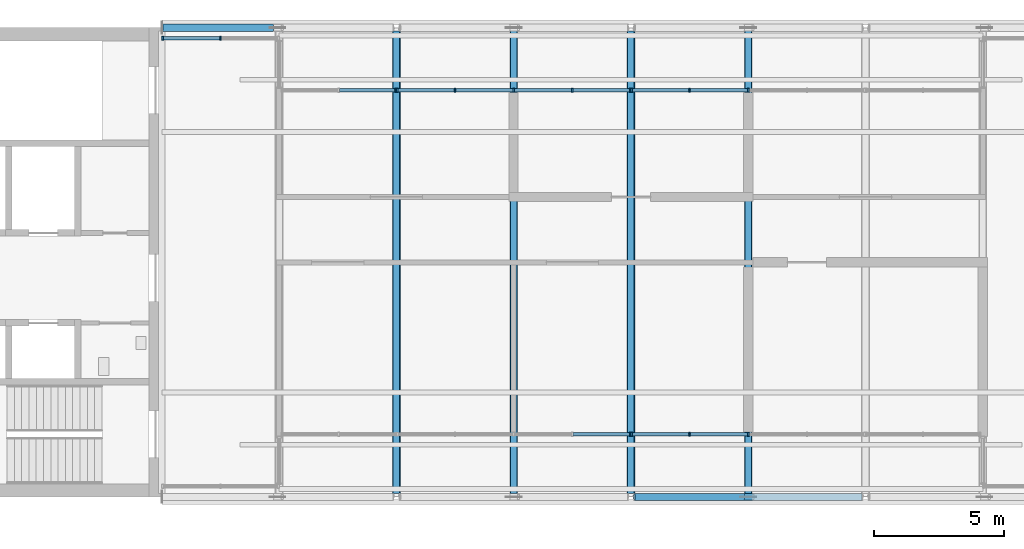
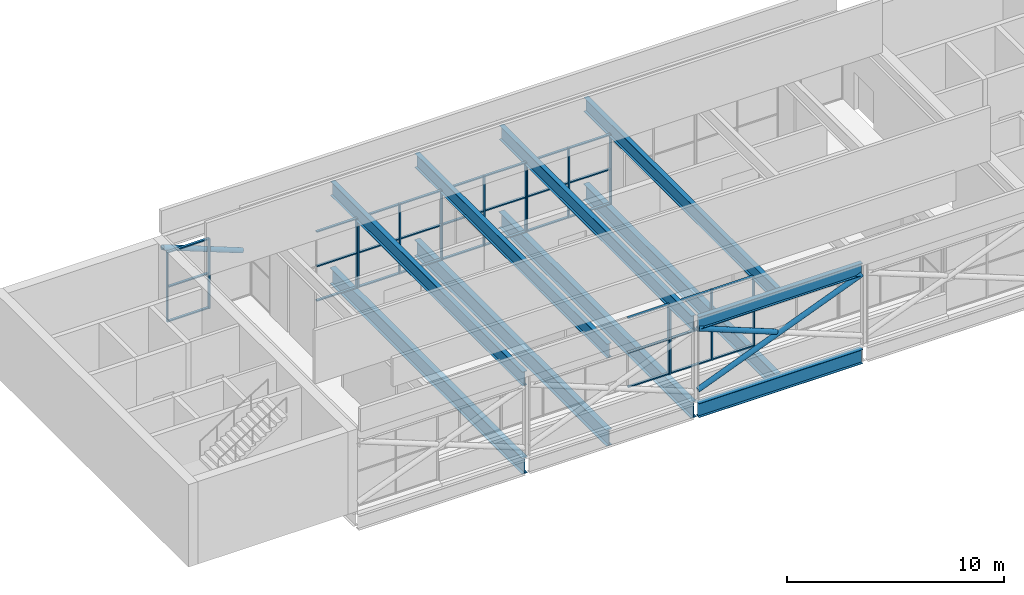
# One storey, part 2 of 13: 51 members, 10 beams, 6 elements without a shape of their own.
"""IFC4 building model written with IfcOpenShell, lengths in metres."""

from ifc_helpers import new_model, si_unit, direction, frame, origin, origin_2d, place, context, subcontext, project, spatial, rectangle, hollow_circle, i_section, extrude, material, layer, layer_set, material_profile, profile_set, type_object, element, aggregate, save


model = new_model("IFC4")

# Units and contexts
model_context = context("Model", 3, precision=1e-05, world=origin(), true_north=direction((0.0, 1.0)))
body_context = subcontext(model_context, "Body", "Model", "MODEL_VIEW")
ifc_project = project(units=[si_unit("LENGTHUNIT", "METRE"), si_unit("AREAUNIT", "SQUARE_METRE"), si_unit("VOLUMEUNIT", "CUBIC_METRE"), si_unit("PLANEANGLEUNIT", "RADIAN"), si_unit("MASSUNIT", "GRAM", prefix="KILO")], contexts=[model_context])

# Site, building, storey
site_placement = place(None, origin())
site = spatial("IfcSite", under=ifc_project, at=site_placement, CompositionType="ELEMENT")
building_placement = place(site_placement, origin())
building = spatial("IfcBuilding", under=site, at=building_placement, Name="Corbel Yard City Hall", CompositionType="ELEMENT")
storey_placement = place(building_placement, frame((0.0, 0.0, 71.199951171875)))
storey = spatial("IfcBuildingStorey", under=building, at=storey_placement, Name="L17", CompositionType="ELEMENT", Elevation=71.199951171875)

# Members
ifc_material_1 = material(Name="Steel Grade C350L0", Category="steel")
ifc_material_profile_1 = material_profile(ifc_material_1, hollow_circle(Radius=0.136474609375, WallThickness=0.00927734375, at=origin_2d()), Name="273.1x9.3CHS")
ifc_profile_set_1 = profile_set([ifc_material_profile_1], Name="Steel Grade C350L0")
member_type_1 = type_object("IfcMemberType", Name="Crown brace 273.1x9.3CHS", PredefinedType="BRACE", material=ifc_profile_set_1)
member_1_placement = place(storey_placement, frame((27.1298828125, 99.0, 0.5), z_axis=(0.929716231841, 0.0, 0.368276700663), x_axis=(0.0, 1.0, 0.0)))
element("IfcMember", 1, at=member_1_placement, inside=storey, type_object=member_type_1, Name="Crown brace 273.1x9.3CHS BX1", PredefinedType="BRACE", context=body_context, shape_type="SweptSolid", body=[
    extrude(hollow_circle(Radius=0.136474609375, WallThickness=0.00927734375, at=origin_2d()), origin(), (0.0, 0.0, 1.0), 9.40087890625),
])
ifc_material_profile_2 = material_profile(ifc_material_1, hollow_circle(Radius=0.136474609375, WallThickness=0.00927734375, at=origin_2d()), Name="273.1x9.3CHS")
ifc_profile_set_2 = profile_set([ifc_material_profile_2], Name="Steel Grade C350L0")
member_type_2 = type_object("IfcMemberType", Name="Crown half brace 273.1x9.3CHS", PredefinedType="BRACE", material=ifc_profile_set_2)
member_2_placement = place(storey_placement, frame((27.1298828125, 99.0, 3.962158203125), z_axis=(0.929720022455, 0.0, -0.368267131096), x_axis=(0.0, 1.0, 0.0)))
element("IfcMember", 2, at=member_2_placement, inside=storey, type_object=member_type_2, Name="Crown half brace 273.1x9.3CHS BX2", PredefinedType="BRACE", context=body_context, shape_type="SweptSolid", body=[
    extrude(hollow_circle(Radius=0.136474609375, WallThickness=0.00927734375, at=origin_2d()), origin(), (0.0, 0.0, 1.0), 4.504150390625),
])
member_3_placement = place(storey_placement, frame((9.0, 117.0, 3.962158203125), z_axis=(0.931548000726, 0.0, -0.363618374594), x_axis=(0.0, 1.0, 0.0)))
element("IfcMember", 3, at=member_3_placement, inside=storey, type_object=member_type_2, Name="Crown half brace 273.1x9.3CHS BX2", PredefinedType="BRACE", context=body_context, shape_type="SweptSolid", body=[
    extrude(hollow_circle(Radius=0.136474609375, WallThickness=0.00927734375, at=origin_2d()), origin(), (0.0, 0.0, 1.0), 4.562255859375),
])

# Beams
ifc_material_2 = material(Name="Steel Grade 350", Category="steel")
ifc_material_profile_3 = material_profile(ifc_material_2, i_section(OverallWidth=0.25, OverallDepth=0.699951171875, WebThickness=0.010009765625, FlangeThickness=0.02001953125, at=origin_2d()), Name="700WB130")
ifc_profile_set_3 = profile_set([ifc_material_profile_3], Name="Steel Grade 350")
beam_type_1 = type_object("IfcBeamType", Name="Edge beam 700WB130", PredefinedType="BEAM", material=ifc_profile_set_3)
beam_1_placement = place(storey_placement, frame((27.1298828125, 99.0, 4.300048828125), z_axis=(1.0, 0.0, 0.0), x_axis=(0.0, 1.0, 0.0)))
element("IfcBeam", 4, at=beam_1_placement, inside=storey, type_object=beam_type_1, Name="Edge beam 700WB130 EB9 L17roof", PredefinedType="BEAM", context=body_context, shape_type="SweptSolid", body=[
    extrude(i_section(OverallWidth=0.25, OverallDepth=0.699951171875, WebThickness=0.010009765625, FlangeThickness=0.02001953125, at=origin_2d()), origin(), (0.0, 0.0, 1.0), 8.740234375),
])
ifc_material_profile_4 = material_profile(ifc_material_2, i_section(OverallWidth=0.27490234375, OverallDepth=0.800048828125, WebThickness=0.010009765625, FlangeThickness=0.02001953125, at=origin_2d()), Name="800WB146")
ifc_profile_set_4 = profile_set([ifc_material_profile_4], Name="Steel Grade 350")
beam_type_2 = type_object("IfcBeamType", Name="Edge beam 800WB146", PredefinedType="BEAM", material=ifc_profile_set_4)
beam_2_placement = place(storey_placement, frame((27.1298828125, 99.0, -0.599853515625), z_axis=(1.0, 0.0, 0.0), x_axis=(0.0, 1.0, 0.0)))
element("IfcBeam", 5, at=beam_2_placement, inside=storey, type_object=beam_type_2, Name="Edge beam 800WB146 EB11 L17tower", PredefinedType="BEAM", context=body_context, shape_type="SweptSolid", body=[
    extrude(i_section(OverallWidth=0.27490234375, OverallDepth=0.800048828125, WebThickness=0.010009765625, FlangeThickness=0.02001953125, at=origin_2d()), origin(), (0.0, 0.0, 1.0), 8.740234375),
])
ifc_material_profile_5 = material_profile(ifc_material_2, i_section(OverallWidth=0.25, OverallDepth=0.7919921875, WebThickness=0.010009765625, FlangeThickness=0.01611328125, at=origin_2d()), Name="800WB122")
ifc_profile_set_5 = profile_set([ifc_material_profile_5], Name="Steel Grade 350")
beam_type_3 = type_object("IfcBeamType", Name="Long-span beam 800WB122", PredefinedType="BEAM", material=ifc_profile_set_5)
for number, where, z_axis, x_axis, name in (
    (6, (18.0, 99.1279296875, 4.254150390625), (0.0, 1.0, 0.0), (-1.0, 0.0, 0.0), "Long-span beam 800WB122 SB21 L17roof"),
    (7, (27.0, 99.1279296875, 4.254150390625), (0.0, 1.0, 0.0), (-1.0, 0.0, 0.0), "Long-span beam 800WB122 SB21 L17roof"),
):
    element("IfcBeam", number, at=place(storey_placement, frame(where, z_axis=z_axis, x_axis=x_axis)), inside=storey, type_object=beam_type_3, Name=name, PredefinedType="BEAM", context=body_context, shape_type="SweptSolid", body=[
        extrude(i_section(OverallWidth=0.25, OverallDepth=0.7919921875, WebThickness=0.010009765625, FlangeThickness=0.01611328125, at=origin_2d()), origin(), (0.0, 0.0, 1.0), 17.744140625),
    ])
ifc_material_profile_6 = material_profile(ifc_material_2, i_section(OverallWidth=0.300048828125, OverallDepth=0.89990234375, WebThickness=0.011962890625, FlangeThickness=0.02001953125, at=origin_2d()), Name="900WB175")
ifc_profile_set_6 = profile_set([ifc_material_profile_6], Name="Steel Grade 350")
beam_type_4 = type_object("IfcBeamType", Name="Long-span beam 900WB175", PredefinedType="BEAM", material=ifc_profile_set_6)
for number, where, z_axis, x_axis, name in (
    (8, (18.0, 99.1279296875, -0.64990234375), (0.0, 1.0, 0.0), (-1.0, 0.0, 0.0), "Long-span beam 900WB175 SB4 L17tower"),
    (9, (27.0, 99.1279296875, -0.64990234375), (0.0, 1.0, 0.0), (-1.0, 0.0, 0.0), "Long-span beam 900WB175 SB4 L17tower"),
):
    element("IfcBeam", number, at=place(storey_placement, frame(where, z_axis=z_axis, x_axis=x_axis)), inside=storey, type_object=beam_type_4, Name=name, PredefinedType="BEAM", context=body_context, shape_type="SweptSolid", body=[
        extrude(i_section(OverallWidth=0.300048828125, OverallDepth=0.89990234375, WebThickness=0.011962890625, FlangeThickness=0.02001953125, at=origin_2d()), origin(), (0.0, 0.0, 1.0), 17.744140625),
    ])
ifc_material_profile_7 = material_profile(ifc_material_2, i_section(OverallWidth=0.25, OverallDepth=0.7919921875, WebThickness=0.010009765625, FlangeThickness=0.01611328125, at=origin_2d()), Name="800WB122")
ifc_profile_set_7 = profile_set([ifc_material_profile_7], Name="Steel Grade 350")
beam_type_5 = type_object("IfcBeamType", Name="Long-span secondary beam 800WB122", PredefinedType="JOIST", material=ifc_profile_set_7)
for number, where, z_axis, x_axis, name in (
    (10, (22.5, 99.125, 4.254150390625), (0.0, 1.0, 0.0), (-1.0, 0.0, 0.0), "Long-span secondary beam 800WB122 SB20 L17roof"),
    (11, (31.5, 99.125, 4.254150390625), (0.0, 1.0, 0.0), (-1.0, 0.0, 0.0), "Long-span secondary beam 800WB122 SB20 L17roof"),
):
    element("IfcBeam", number, at=place(storey_placement, frame(where, z_axis=z_axis, x_axis=x_axis)), inside=storey, type_object=beam_type_5, Name=name, PredefinedType="JOIST", context=body_context, shape_type="SweptSolid", body=[
        extrude(i_section(OverallWidth=0.25, OverallDepth=0.7919921875, WebThickness=0.010009765625, FlangeThickness=0.01611328125, at=origin_2d()), origin(), (0.0, 0.0, 1.0), 17.75),
    ])
ifc_material_profile_8 = material_profile(ifc_material_2, i_section(OverallWidth=0.300048828125, OverallDepth=0.89990234375, WebThickness=0.011962890625, FlangeThickness=0.02001953125, at=origin_2d()), Name="900WB175")
ifc_profile_set_8 = profile_set([ifc_material_profile_8], Name="Steel Grade 350")
beam_type_6 = type_object("IfcBeamType", Name="Long-span secondary beam 900WB175", PredefinedType="JOIST", material=ifc_profile_set_8)
for number, where, z_axis, x_axis, name in (
    (12, (22.5, 99.137451171875, -0.64990234375), (0.0, 1.0, 0.0), (-1.0, 0.0, 0.0), "Long-span secondary beam 900WB175 SB3 L17tower"),
    (13, (31.5, 99.137451171875, -0.64990234375), (0.0, 1.0, 0.0), (-1.0, 0.0, 0.0), "Long-span secondary beam 900WB175 SB3 L17tower"),
):
    element("IfcBeam", number, at=place(storey_placement, frame(where, z_axis=z_axis, x_axis=x_axis)), inside=storey, type_object=beam_type_6, Name=name, PredefinedType="JOIST", context=body_context, shape_type="SweptSolid", body=[
        extrude(i_section(OverallWidth=0.300048828125, OverallDepth=0.89990234375, WebThickness=0.011962890625, FlangeThickness=0.02001953125, at=origin_2d()), origin(), (0.0, 0.0, 1.0), 17.72509765625),
    ])

# Curtain wall, member
ifc_material_3 = material(Name="Aluminium extrusion", Category="aluminium")
ifc_layer = layer(ifc_material_3, 0.159912109375)
ifc_layer_set = layer_set([ifc_layer], Name="Aluminium extrusion")
curtain_wall_type = type_object("IfcCurtainWallType", Name="CW8", PredefinedType="USERDEFINED", material=ifc_layer_set)
curtain_wall_1_placement = place(storey_placement, origin())
curtain_wall_1 = element("IfcCurtainWall", 14, at=curtain_wall_1_placement, inside=storey, type_object=curtain_wall_type, Name="Curtain wall CW8 L17", ObjectType="CURTAIN WALL", PredefinedType="USERDEFINED")
ifc_material_profile_9 = material_profile(ifc_material_3, rectangle(XDim=0.159912109375, YDim=0.06494140625, at=origin_2d()), Name="160x65")
ifc_profile_set_9 = profile_set([ifc_material_profile_9], Name="Aluminium extrusion")
member_type_3 = type_object("IfcMemberType", Name="ML8", PredefinedType="MULLION", material=ifc_profile_set_9)
member_4_placement = place(storey_placement, frame((26.967529296875, 101.39990234375, 0.0), z_axis=(0.0, 0.0, 1.0), x_axis=(0.0, 1.0, 0.0)))
member_4 = element("IfcMember", 15, at=member_4_placement, type_object=member_type_3, Name="CW8 mullion 5", PredefinedType="MULLION", context=body_context, shape_type="SweptSolid", body=[
    extrude(rectangle(XDim=0.159912109375, YDim=0.06494140625, at=origin_2d()), origin(), (0.0, 0.0, 1.0), 3.949951171875),
])

# Curtain wall, members
curtain_wall_2_placement = place(storey_placement, origin())
curtain_wall_2 = element("IfcCurtainWall", 16, at=curtain_wall_2_placement, inside=storey, type_object=curtain_wall_type, Name="Curtain wall CW8 L17", ObjectType="CURTAIN WALL", PredefinedType="USERDEFINED")
member_5_placement = place(storey_placement, frame((27.032470703125, 101.39990234375, 0.0), z_axis=(0.0, 0.0, 1.0), x_axis=(0.0, 1.0, 0.0)))
member_5 = element("IfcMember", 17, at=member_5_placement, type_object=member_type_3, Name="CW8 mullion 1", PredefinedType="MULLION", context=body_context, shape_type="SweptSolid", body=[
    extrude(rectangle(XDim=0.159912109375, YDim=0.06494140625, at=origin_2d()), origin(), (0.0, 0.0, 1.0), 3.949951171875),
])
member_6_placement = place(storey_placement, frame((29.25, 101.39990234375, 0.0), z_axis=(0.0, 0.0, 1.0), x_axis=(0.0, 1.0, 0.0)))
member_6 = element("IfcMember", 18, at=member_6_placement, type_object=member_type_3, Name="CW8 mullion 2", PredefinedType="MULLION", context=body_context, shape_type="SweptSolid", body=[
    extrude(rectangle(XDim=0.159912109375, YDim=0.06494140625, at=origin_2d()), origin(), (0.0, 0.0, 1.0), 3.949951171875),
])
member_7_placement = place(storey_placement, frame((31.5, 101.39990234375, 0.0), z_axis=(0.0, 0.0, 1.0), x_axis=(0.0, 1.0, 0.0)))
member_7 = element("IfcMember", 19, at=member_7_placement, type_object=member_type_3, Name="CW8 mullion 3", PredefinedType="MULLION", context=body_context, shape_type="SweptSolid", body=[
    extrude(rectangle(XDim=0.159912109375, YDim=0.06494140625, at=origin_2d()), origin(), (0.0, 0.0, 1.0), 3.949951171875),
])

curtain_wall_3_placement = place(storey_placement, origin())
curtain_wall_3 = element("IfcCurtainWall", 20, at=curtain_wall_3_placement, inside=storey, type_object=curtain_wall_type, Name="Curtain wall CW8 L17", ObjectType="CURTAIN WALL", PredefinedType="USERDEFINED")
member_8_placement = place(storey_placement, frame((9.032470703125, 116.60009765625, 0.0), z_axis=(0.0, 0.0, 1.0), x_axis=(0.0, 1.0, 0.0)))
member_8 = element("IfcMember", 21, at=member_8_placement, type_object=member_type_3, Name="CW8 mullion 1", PredefinedType="MULLION", context=body_context, shape_type="SweptSolid", body=[
    extrude(rectangle(XDim=0.159912109375, YDim=0.06494140625, at=origin_2d()), origin(), (0.0, 0.0, 1.0), 3.949951171875),
])
member_9_placement = place(storey_placement, frame((11.25, 116.60009765625, 0.0), z_axis=(0.0, 0.0, 1.0), x_axis=(0.0, 1.0, 0.0)))
member_9 = element("IfcMember", 22, at=member_9_placement, type_object=member_type_3, Name="CW8 mullion 2", PredefinedType="MULLION", context=body_context, shape_type="SweptSolid", body=[
    extrude(rectangle(XDim=0.159912109375, YDim=0.06494140625, at=origin_2d()), origin(), (0.0, 0.0, 1.0), 3.949951171875),
])

# Curtain wall, member
curtain_wall_4_placement = place(storey_placement, origin())
curtain_wall_4 = element("IfcCurtainWall", 23, at=curtain_wall_4_placement, inside=storey, type_object=curtain_wall_type, Name="Curtain wall CW8 L17", ObjectType="CURTAIN WALL", PredefinedType="USERDEFINED")
member_10_placement = place(storey_placement, frame((17.967529296875, 114.60009765625, 0.0), z_axis=(0.0, 0.0, 1.0), x_axis=(0.0, 1.0, 0.0)))
member_10 = element("IfcMember", 24, at=member_10_placement, type_object=member_type_3, Name="CW8 mullion 3", PredefinedType="MULLION", context=body_context, shape_type="SweptSolid", body=[
    extrude(rectangle(XDim=0.159912109375, YDim=0.06494140625, at=origin_2d()), origin(), (0.0, 0.0, 1.0), 3.949951171875),
])

# Curtain wall, members
curtain_wall_5_placement = place(storey_placement, origin())
curtain_wall_5 = element("IfcCurtainWall", 25, at=curtain_wall_5_placement, inside=storey, type_object=curtain_wall_type, Name="Curtain wall CW8 L17", ObjectType="CURTAIN WALL", PredefinedType="USERDEFINED")
member_11_placement = place(storey_placement, frame((18.032470703125, 114.60009765625, 0.0), z_axis=(0.0, 0.0, 1.0), x_axis=(0.0, 1.0, 0.0)))
member_11 = element("IfcMember", 26, at=member_11_placement, type_object=member_type_3, Name="CW8 mullion 1", PredefinedType="MULLION", context=body_context, shape_type="SweptSolid", body=[
    extrude(rectangle(XDim=0.159912109375, YDim=0.06494140625, at=origin_2d()), origin(), (0.0, 0.0, 1.0), 3.949951171875),
])
member_12_placement = place(storey_placement, frame((20.25, 114.60009765625, 0.0), z_axis=(0.0, 0.0, 1.0), x_axis=(0.0, 1.0, 0.0)))
member_12 = element("IfcMember", 27, at=member_12_placement, type_object=member_type_3, Name="CW8 mullion 2", PredefinedType="MULLION", context=body_context, shape_type="SweptSolid", body=[
    extrude(rectangle(XDim=0.159912109375, YDim=0.06494140625, at=origin_2d()), origin(), (0.0, 0.0, 1.0), 3.949951171875),
])
member_13_placement = place(storey_placement, frame((22.5, 114.60009765625, 0.0), z_axis=(0.0, 0.0, 1.0), x_axis=(0.0, 1.0, 0.0)))
member_13 = element("IfcMember", 28, at=member_13_placement, type_object=member_type_3, Name="CW8 mullion 3", PredefinedType="MULLION", context=body_context, shape_type="SweptSolid", body=[
    extrude(rectangle(XDim=0.159912109375, YDim=0.06494140625, at=origin_2d()), origin(), (0.0, 0.0, 1.0), 3.949951171875),
])
member_14_placement = place(storey_placement, frame((24.75, 114.60009765625, 0.0), z_axis=(0.0, 0.0, 1.0), x_axis=(0.0, 1.0, 0.0)))
member_14 = element("IfcMember", 29, at=member_14_placement, type_object=member_type_3, Name="CW8 mullion 4", PredefinedType="MULLION", context=body_context, shape_type="SweptSolid", body=[
    extrude(rectangle(XDim=0.159912109375, YDim=0.06494140625, at=origin_2d()), origin(), (0.0, 0.0, 1.0), 3.949951171875),
])
member_15_placement = place(storey_placement, frame((26.967529296875, 114.60009765625, 0.0), z_axis=(0.0, 0.0, 1.0), x_axis=(0.0, 1.0, 0.0)))
member_15 = element("IfcMember", 30, at=member_15_placement, type_object=member_type_3, Name="CW8 mullion 5", PredefinedType="MULLION", context=body_context, shape_type="SweptSolid", body=[
    extrude(rectangle(XDim=0.159912109375, YDim=0.06494140625, at=origin_2d()), origin(), (0.0, 0.0, 1.0), 3.949951171875),
])

curtain_wall_6_placement = place(storey_placement, origin())
curtain_wall_6 = element("IfcCurtainWall", 31, at=curtain_wall_6_placement, inside=storey, type_object=curtain_wall_type, Name="Curtain wall CW8 L17", ObjectType="CURTAIN WALL", PredefinedType="USERDEFINED")
member_16_placement = place(storey_placement, frame((27.032470703125, 114.60009765625, 0.0), z_axis=(0.0, 0.0, 1.0), x_axis=(0.0, 1.0, 0.0)))
member_16 = element("IfcMember", 32, at=member_16_placement, type_object=member_type_3, Name="CW8 mullion 1", PredefinedType="MULLION", context=body_context, shape_type="SweptSolid", body=[
    extrude(rectangle(XDim=0.159912109375, YDim=0.06494140625, at=origin_2d()), origin(), (0.0, 0.0, 1.0), 3.949951171875),
])
member_17_placement = place(storey_placement, frame((29.25, 114.60009765625, 0.0), z_axis=(0.0, 0.0, 1.0), x_axis=(0.0, 1.0, 0.0)))
member_17 = element("IfcMember", 33, at=member_17_placement, type_object=member_type_3, Name="CW8 mullion 2", PredefinedType="MULLION", context=body_context, shape_type="SweptSolid", body=[
    extrude(rectangle(XDim=0.159912109375, YDim=0.06494140625, at=origin_2d()), origin(), (0.0, 0.0, 1.0), 3.949951171875),
])
member_18_placement = place(storey_placement, frame((31.5, 114.60009765625, 0.0), z_axis=(0.0, 0.0, 1.0), x_axis=(0.0, 1.0, 0.0)))
member_18 = element("IfcMember", 34, at=member_18_placement, type_object=member_type_3, Name="CW8 mullion 3", PredefinedType="MULLION", context=body_context, shape_type="SweptSolid", body=[
    extrude(rectangle(XDim=0.159912109375, YDim=0.06494140625, at=origin_2d()), origin(), (0.0, 0.0, 1.0), 3.949951171875),
])

# Member
ifc_material_profile_10 = material_profile(ifc_material_3, rectangle(XDim=0.1298828125, YDim=0.06494140625, at=origin_2d()), Name="130x65")
ifc_profile_set_10 = profile_set([ifc_material_profile_10], Name="Aluminium extrusion")
member_type_4 = type_object("IfcMemberType", Name="TR8", PredefinedType="USERDEFINED", material=ifc_profile_set_10)
member_19_placement = place(storey_placement, frame((24.782470703125, 101.39990234375, 0.032470703125), z_axis=(1.0, 0.0, 0.0), x_axis=(0.0, 1.0, 0.0)))
member_19 = element("IfcMember", 35, at=member_19_placement, type_object=member_type_4, Name="CW8 transom 4.1", ObjectType="TRANSOM", PredefinedType="USERDEFINED", context=body_context, shape_type="SweptSolid", body=[
    extrude(rectangle(XDim=0.1298828125, YDim=0.06494140625, at=origin_2d()), origin(), (0.0, 0.0, 1.0), 2.152587890625),
])

member_20_placement = place(storey_placement, frame((24.782470703125, 101.39990234375, 1.97509765625), z_axis=(1.0, 0.0, 0.0), x_axis=(0.0, 1.0, 0.0)))
member_20 = element("IfcMember", 36, at=member_20_placement, type_object=member_type_4, Name="CW8 transom 4.2", ObjectType="TRANSOM", PredefinedType="USERDEFINED", context=body_context, shape_type="SweptSolid", body=[
    extrude(rectangle(XDim=0.1298828125, YDim=0.06494140625, at=origin_2d()), origin(), (0.0, 0.0, 1.0), 2.152587890625),
])

member_21_placement = place(storey_placement, frame((24.782470703125, 101.39990234375, 3.91748046875), z_axis=(1.0, 0.0, 0.0), x_axis=(0.0, 1.0, 0.0)))
member_21 = element("IfcMember", 37, at=member_21_placement, type_object=member_type_4, Name="CW8 transom 4.3", ObjectType="TRANSOM", PredefinedType="USERDEFINED", context=body_context, shape_type="SweptSolid", body=[
    extrude(rectangle(XDim=0.1298828125, YDim=0.06494140625, at=origin_2d()), origin(), (0.0, 0.0, 1.0), 2.152587890625),
])

aggregate(curtain_wall_1, [member_4, member_19, member_20, member_21])

member_22_placement = place(storey_placement, frame((27.06494140625, 101.39990234375, 0.032470703125), z_axis=(1.0, 0.0, 0.0), x_axis=(0.0, 1.0, 0.0)))
member_22 = element("IfcMember", 38, at=member_22_placement, type_object=member_type_4, Name="CW8 transom 1.1", ObjectType="TRANSOM", PredefinedType="USERDEFINED", context=body_context, shape_type="SweptSolid", body=[
    extrude(rectangle(XDim=0.1298828125, YDim=0.06494140625, at=origin_2d()), origin(), (0.0, 0.0, 1.0), 2.152587890625),
])

member_23_placement = place(storey_placement, frame((27.06494140625, 101.39990234375, 1.97509765625), z_axis=(1.0, 0.0, 0.0), x_axis=(0.0, 1.0, 0.0)))
member_23 = element("IfcMember", 39, at=member_23_placement, type_object=member_type_4, Name="CW8 transom 1.2", ObjectType="TRANSOM", PredefinedType="USERDEFINED", context=body_context, shape_type="SweptSolid", body=[
    extrude(rectangle(XDim=0.1298828125, YDim=0.06494140625, at=origin_2d()), origin(), (0.0, 0.0, 1.0), 2.152587890625),
])

member_24_placement = place(storey_placement, frame((27.06494140625, 101.39990234375, 3.91748046875), z_axis=(1.0, 0.0, 0.0), x_axis=(0.0, 1.0, 0.0)))
member_24 = element("IfcMember", 40, at=member_24_placement, type_object=member_type_4, Name="CW8 transom 1.3", ObjectType="TRANSOM", PredefinedType="USERDEFINED", context=body_context, shape_type="SweptSolid", body=[
    extrude(rectangle(XDim=0.1298828125, YDim=0.06494140625, at=origin_2d()), origin(), (0.0, 0.0, 1.0), 2.152587890625),
])

member_25_placement = place(storey_placement, frame((29.282470703125, 101.39990234375, 0.032470703125), z_axis=(1.0, 0.0, 0.0), x_axis=(0.0, 1.0, 0.0)))
member_25 = element("IfcMember", 41, at=member_25_placement, type_object=member_type_4, Name="CW8 transom 2.1", ObjectType="TRANSOM", PredefinedType="USERDEFINED", context=body_context, shape_type="SweptSolid", body=[
    extrude(rectangle(XDim=0.1298828125, YDim=0.06494140625, at=origin_2d()), origin(), (0.0, 0.0, 1.0), 2.18505859375),
])

member_26_placement = place(storey_placement, frame((29.282470703125, 101.39990234375, 1.97509765625), z_axis=(1.0, 0.0, 0.0), x_axis=(0.0, 1.0, 0.0)))
member_26 = element("IfcMember", 42, at=member_26_placement, type_object=member_type_4, Name="CW8 transom 2.2", ObjectType="TRANSOM", PredefinedType="USERDEFINED", context=body_context, shape_type="SweptSolid", body=[
    extrude(rectangle(XDim=0.1298828125, YDim=0.06494140625, at=origin_2d()), origin(), (0.0, 0.0, 1.0), 2.18505859375),
])

member_27_placement = place(storey_placement, frame((29.282470703125, 101.39990234375, 3.91748046875), z_axis=(1.0, 0.0, 0.0), x_axis=(0.0, 1.0, 0.0)))
member_27 = element("IfcMember", 43, at=member_27_placement, type_object=member_type_4, Name="CW8 transom 2.3", ObjectType="TRANSOM", PredefinedType="USERDEFINED", context=body_context, shape_type="SweptSolid", body=[
    extrude(rectangle(XDim=0.1298828125, YDim=0.06494140625, at=origin_2d()), origin(), (0.0, 0.0, 1.0), 2.18505859375),
])

aggregate(curtain_wall_2, [member_5, member_6, member_7, member_22, member_23, member_24, member_25, member_26, member_27])

member_28_placement = place(storey_placement, frame((9.06494140625, 116.60009765625, 0.032470703125), z_axis=(1.0, 0.0, 0.0), x_axis=(0.0, 1.0, 0.0)))
member_28 = element("IfcMember", 44, at=member_28_placement, type_object=member_type_4, Name="CW8 transom 1.1", ObjectType="TRANSOM", PredefinedType="USERDEFINED", context=body_context, shape_type="SweptSolid", body=[
    extrude(rectangle(XDim=0.1298828125, YDim=0.06494140625, at=origin_2d()), origin(), (0.0, 0.0, 1.0), 2.152587890625),
])

member_29_placement = place(storey_placement, frame((9.06494140625, 116.60009765625, 1.97509765625), z_axis=(1.0, 0.0, 0.0), x_axis=(0.0, 1.0, 0.0)))
member_29 = element("IfcMember", 45, at=member_29_placement, type_object=member_type_4, Name="CW8 transom 1.2", ObjectType="TRANSOM", PredefinedType="USERDEFINED", context=body_context, shape_type="SweptSolid", body=[
    extrude(rectangle(XDim=0.1298828125, YDim=0.06494140625, at=origin_2d()), origin(), (0.0, 0.0, 1.0), 2.152587890625),
])

member_30_placement = place(storey_placement, frame((9.06494140625, 116.60009765625, 3.91748046875), z_axis=(1.0, 0.0, 0.0), x_axis=(0.0, 1.0, 0.0)))
member_30 = element("IfcMember", 46, at=member_30_placement, type_object=member_type_4, Name="CW8 transom 1.3", ObjectType="TRANSOM", PredefinedType="USERDEFINED", context=body_context, shape_type="SweptSolid", body=[
    extrude(rectangle(XDim=0.1298828125, YDim=0.06494140625, at=origin_2d()), origin(), (0.0, 0.0, 1.0), 2.152587890625),
])

aggregate(curtain_wall_3, [member_8, member_9, member_28, member_29, member_30])

member_31_placement = place(storey_placement, frame((15.822509765625, 114.60009765625, 0.032470703125), z_axis=(1.0, 0.0, 0.0), x_axis=(0.0, 1.0, 0.0)))
member_31 = element("IfcMember", 47, at=member_31_placement, type_object=member_type_4, Name="CW8 transom 2.1", ObjectType="TRANSOM", PredefinedType="USERDEFINED", context=body_context, shape_type="SweptSolid", body=[
    extrude(rectangle(XDim=0.1298828125, YDim=0.06494140625, at=origin_2d()), origin(), (0.0, 0.0, 1.0), 2.112548828125),
])

member_32_placement = place(storey_placement, frame((15.822509765625, 114.60009765625, 1.97509765625), z_axis=(1.0, 0.0, 0.0), x_axis=(0.0, 1.0, 0.0)))
member_32 = element("IfcMember", 48, at=member_32_placement, type_object=member_type_4, Name="CW8 transom 2.2", ObjectType="TRANSOM", PredefinedType="USERDEFINED", context=body_context, shape_type="SweptSolid", body=[
    extrude(rectangle(XDim=0.1298828125, YDim=0.06494140625, at=origin_2d()), origin(), (0.0, 0.0, 1.0), 2.112548828125),
])

member_33_placement = place(storey_placement, frame((15.822509765625, 114.60009765625, 3.91748046875), z_axis=(1.0, 0.0, 0.0), x_axis=(0.0, 1.0, 0.0)))
member_33 = element("IfcMember", 49, at=member_33_placement, type_object=member_type_4, Name="CW8 transom 2.3", ObjectType="TRANSOM", PredefinedType="USERDEFINED", context=body_context, shape_type="SweptSolid", body=[
    extrude(rectangle(XDim=0.1298828125, YDim=0.06494140625, at=origin_2d()), origin(), (0.0, 0.0, 1.0), 2.112548828125),
])

aggregate(curtain_wall_4, [member_10, member_31, member_32, member_33])

member_34_placement = place(storey_placement, frame((18.06494140625, 114.60009765625, 0.032470703125), z_axis=(1.0, 0.0, 0.0), x_axis=(0.0, 1.0, 0.0)))
member_34 = element("IfcMember", 50, at=member_34_placement, type_object=member_type_4, Name="CW8 transom 1.1", ObjectType="TRANSOM", PredefinedType="USERDEFINED", context=body_context, shape_type="SweptSolid", body=[
    extrude(rectangle(XDim=0.1298828125, YDim=0.06494140625, at=origin_2d()), origin(), (0.0, 0.0, 1.0), 2.152587890625),
])

member_35_placement = place(storey_placement, frame((18.06494140625, 114.60009765625, 1.97509765625), z_axis=(1.0, 0.0, 0.0), x_axis=(0.0, 1.0, 0.0)))
member_35 = element("IfcMember", 51, at=member_35_placement, type_object=member_type_4, Name="CW8 transom 1.2", ObjectType="TRANSOM", PredefinedType="USERDEFINED", context=body_context, shape_type="SweptSolid", body=[
    extrude(rectangle(XDim=0.1298828125, YDim=0.06494140625, at=origin_2d()), origin(), (0.0, 0.0, 1.0), 2.152587890625),
])

member_36_placement = place(storey_placement, frame((18.06494140625, 114.60009765625, 3.91748046875), z_axis=(1.0, 0.0, 0.0), x_axis=(0.0, 1.0, 0.0)))
member_36 = element("IfcMember", 52, at=member_36_placement, type_object=member_type_4, Name="CW8 transom 1.3", ObjectType="TRANSOM", PredefinedType="USERDEFINED", context=body_context, shape_type="SweptSolid", body=[
    extrude(rectangle(XDim=0.1298828125, YDim=0.06494140625, at=origin_2d()), origin(), (0.0, 0.0, 1.0), 2.152587890625),
])

member_37_placement = place(storey_placement, frame((20.282470703125, 114.60009765625, 0.032470703125), z_axis=(1.0, 0.0, 0.0), x_axis=(0.0, 1.0, 0.0)))
member_37 = element("IfcMember", 53, at=member_37_placement, type_object=member_type_4, Name="CW8 transom 2.1", ObjectType="TRANSOM", PredefinedType="USERDEFINED", context=body_context, shape_type="SweptSolid", body=[
    extrude(rectangle(XDim=0.1298828125, YDim=0.06494140625, at=origin_2d()), origin(), (0.0, 0.0, 1.0), 2.18505859375),
])

member_38_placement = place(storey_placement, frame((20.282470703125, 114.60009765625, 1.97509765625), z_axis=(1.0, 0.0, 0.0), x_axis=(0.0, 1.0, 0.0)))
member_38 = element("IfcMember", 54, at=member_38_placement, type_object=member_type_4, Name="CW8 transom 2.2", ObjectType="TRANSOM", PredefinedType="USERDEFINED", context=body_context, shape_type="SweptSolid", body=[
    extrude(rectangle(XDim=0.1298828125, YDim=0.06494140625, at=origin_2d()), origin(), (0.0, 0.0, 1.0), 2.18505859375),
])

member_39_placement = place(storey_placement, frame((20.282470703125, 114.60009765625, 3.91748046875), z_axis=(1.0, 0.0, 0.0), x_axis=(0.0, 1.0, 0.0)))
member_39 = element("IfcMember", 55, at=member_39_placement, type_object=member_type_4, Name="CW8 transom 2.3", ObjectType="TRANSOM", PredefinedType="USERDEFINED", context=body_context, shape_type="SweptSolid", body=[
    extrude(rectangle(XDim=0.1298828125, YDim=0.06494140625, at=origin_2d()), origin(), (0.0, 0.0, 1.0), 2.18505859375),
])

member_40_placement = place(storey_placement, frame((22.532470703125, 114.60009765625, 0.032470703125), z_axis=(1.0, 0.0, 0.0), x_axis=(0.0, 1.0, 0.0)))
member_40 = element("IfcMember", 56, at=member_40_placement, type_object=member_type_4, Name="CW8 transom 3.1", ObjectType="TRANSOM", PredefinedType="USERDEFINED", context=body_context, shape_type="SweptSolid", body=[
    extrude(rectangle(XDim=0.1298828125, YDim=0.06494140625, at=origin_2d()), origin(), (0.0, 0.0, 1.0), 2.18505859375),
])

member_41_placement = place(storey_placement, frame((22.532470703125, 114.60009765625, 1.97509765625), z_axis=(1.0, 0.0, 0.0), x_axis=(0.0, 1.0, 0.0)))
member_41 = element("IfcMember", 57, at=member_41_placement, type_object=member_type_4, Name="CW8 transom 3.2", ObjectType="TRANSOM", PredefinedType="USERDEFINED", context=body_context, shape_type="SweptSolid", body=[
    extrude(rectangle(XDim=0.1298828125, YDim=0.06494140625, at=origin_2d()), origin(), (0.0, 0.0, 1.0), 2.18505859375),
])

member_42_placement = place(storey_placement, frame((22.532470703125, 114.60009765625, 3.91748046875), z_axis=(1.0, 0.0, 0.0), x_axis=(0.0, 1.0, 0.0)))
member_42 = element("IfcMember", 58, at=member_42_placement, type_object=member_type_4, Name="CW8 transom 3.3", ObjectType="TRANSOM", PredefinedType="USERDEFINED", context=body_context, shape_type="SweptSolid", body=[
    extrude(rectangle(XDim=0.1298828125, YDim=0.06494140625, at=origin_2d()), origin(), (0.0, 0.0, 1.0), 2.18505859375),
])

member_43_placement = place(storey_placement, frame((24.782470703125, 114.60009765625, 0.032470703125), z_axis=(1.0, 0.0, 0.0), x_axis=(0.0, 1.0, 0.0)))
member_43 = element("IfcMember", 59, at=member_43_placement, type_object=member_type_4, Name="CW8 transom 4.1", ObjectType="TRANSOM", PredefinedType="USERDEFINED", context=body_context, shape_type="SweptSolid", body=[
    extrude(rectangle(XDim=0.1298828125, YDim=0.06494140625, at=origin_2d()), origin(), (0.0, 0.0, 1.0), 2.152587890625),
])

member_44_placement = place(storey_placement, frame((24.782470703125, 114.60009765625, 1.97509765625), z_axis=(1.0, 0.0, 0.0), x_axis=(0.0, 1.0, 0.0)))
member_44 = element("IfcMember", 60, at=member_44_placement, type_object=member_type_4, Name="CW8 transom 4.2", ObjectType="TRANSOM", PredefinedType="USERDEFINED", context=body_context, shape_type="SweptSolid", body=[
    extrude(rectangle(XDim=0.1298828125, YDim=0.06494140625, at=origin_2d()), origin(), (0.0, 0.0, 1.0), 2.152587890625),
])

member_45_placement = place(storey_placement, frame((24.782470703125, 114.60009765625, 3.91748046875), z_axis=(1.0, 0.0, 0.0), x_axis=(0.0, 1.0, 0.0)))
member_45 = element("IfcMember", 61, at=member_45_placement, type_object=member_type_4, Name="CW8 transom 4.3", ObjectType="TRANSOM", PredefinedType="USERDEFINED", context=body_context, shape_type="SweptSolid", body=[
    extrude(rectangle(XDim=0.1298828125, YDim=0.06494140625, at=origin_2d()), origin(), (0.0, 0.0, 1.0), 2.152587890625),
])

aggregate(curtain_wall_5, [member_11, member_12, member_13, member_14, member_15, member_34, member_35, member_36, member_37, member_38, member_39, member_40, member_41, member_42, member_43, member_44, member_45])

member_46_placement = place(storey_placement, frame((27.06494140625, 114.60009765625, 0.032470703125), z_axis=(1.0, 0.0, 0.0), x_axis=(0.0, 1.0, 0.0)))
member_46 = element("IfcMember", 62, at=member_46_placement, type_object=member_type_4, Name="CW8 transom 1.1", ObjectType="TRANSOM", PredefinedType="USERDEFINED", context=body_context, shape_type="SweptSolid", body=[
    extrude(rectangle(XDim=0.1298828125, YDim=0.06494140625, at=origin_2d()), origin(), (0.0, 0.0, 1.0), 2.152587890625),
])

member_47_placement = place(storey_placement, frame((27.06494140625, 114.60009765625, 1.97509765625), z_axis=(1.0, 0.0, 0.0), x_axis=(0.0, 1.0, 0.0)))
member_47 = element("IfcMember", 63, at=member_47_placement, type_object=member_type_4, Name="CW8 transom 1.2", ObjectType="TRANSOM", PredefinedType="USERDEFINED", context=body_context, shape_type="SweptSolid", body=[
    extrude(rectangle(XDim=0.1298828125, YDim=0.06494140625, at=origin_2d()), origin(), (0.0, 0.0, 1.0), 2.152587890625),
])

member_48_placement = place(storey_placement, frame((27.06494140625, 114.60009765625, 3.91748046875), z_axis=(1.0, 0.0, 0.0), x_axis=(0.0, 1.0, 0.0)))
member_48 = element("IfcMember", 64, at=member_48_placement, type_object=member_type_4, Name="CW8 transom 1.3", ObjectType="TRANSOM", PredefinedType="USERDEFINED", context=body_context, shape_type="SweptSolid", body=[
    extrude(rectangle(XDim=0.1298828125, YDim=0.06494140625, at=origin_2d()), origin(), (0.0, 0.0, 1.0), 2.152587890625),
])

member_49_placement = place(storey_placement, frame((29.282470703125, 114.60009765625, 0.032470703125), z_axis=(1.0, 0.0, 0.0), x_axis=(0.0, 1.0, 0.0)))
member_49 = element("IfcMember", 65, at=member_49_placement, type_object=member_type_4, Name="CW8 transom 2.1", ObjectType="TRANSOM", PredefinedType="USERDEFINED", context=body_context, shape_type="SweptSolid", body=[
    extrude(rectangle(XDim=0.1298828125, YDim=0.06494140625, at=origin_2d()), origin(), (0.0, 0.0, 1.0), 2.18505859375),
])

member_50_placement = place(storey_placement, frame((29.282470703125, 114.60009765625, 1.97509765625), z_axis=(1.0, 0.0, 0.0), x_axis=(0.0, 1.0, 0.0)))
member_50 = element("IfcMember", 66, at=member_50_placement, type_object=member_type_4, Name="CW8 transom 2.2", ObjectType="TRANSOM", PredefinedType="USERDEFINED", context=body_context, shape_type="SweptSolid", body=[
    extrude(rectangle(XDim=0.1298828125, YDim=0.06494140625, at=origin_2d()), origin(), (0.0, 0.0, 1.0), 2.18505859375),
])

member_51_placement = place(storey_placement, frame((29.282470703125, 114.60009765625, 3.91748046875), z_axis=(1.0, 0.0, 0.0), x_axis=(0.0, 1.0, 0.0)))
member_51 = element("IfcMember", 67, at=member_51_placement, type_object=member_type_4, Name="CW8 transom 2.3", ObjectType="TRANSOM", PredefinedType="USERDEFINED", context=body_context, shape_type="SweptSolid", body=[
    extrude(rectangle(XDim=0.1298828125, YDim=0.06494140625, at=origin_2d()), origin(), (0.0, 0.0, 1.0), 2.18505859375),
])

aggregate(curtain_wall_6, [member_16, member_17, member_18, member_46, member_47, member_48, member_49, member_50, member_51])

save(model, "model.ifc")
